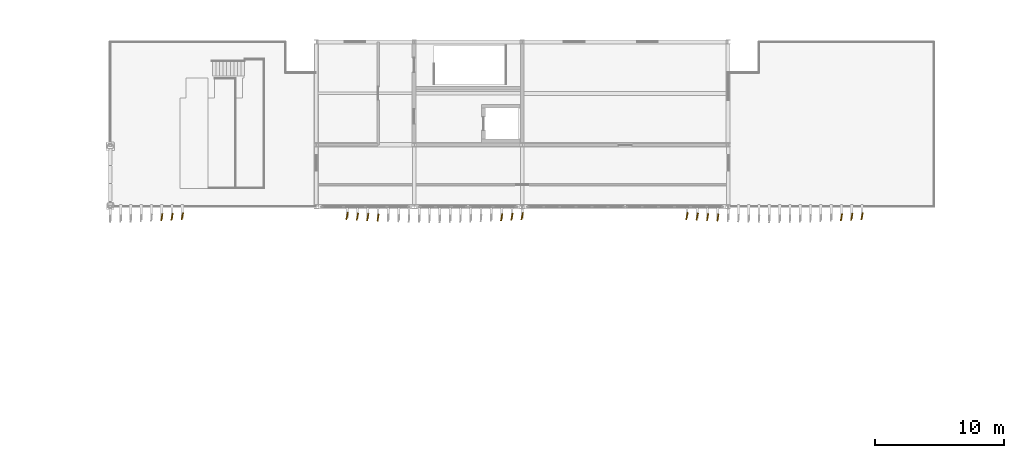
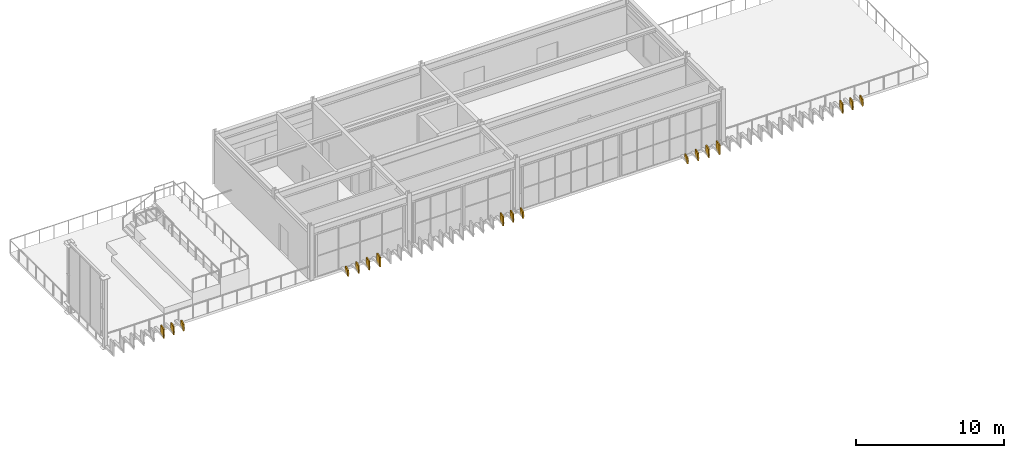
# One storey, part 45 of 45: 17 coverings.
"""IFC4 building model written with IfcOpenShell, lengths in metres."""

from ifc_helpers import new_model, si_unit, direction, frame, origin, origin_2d, place, context, subcontext, project, spatial, rectangle, extrude, material, layer, layer_set, type_object, element, save


model = new_model("IFC4")

# Units and contexts
model_context = context("Model", 3, precision=1e-05, world=origin(), true_north=direction((0.0, 1.0)))
body_context = subcontext(model_context, "Body", "Model", "MODEL_VIEW")
ifc_project = project(units=[si_unit("LENGTHUNIT", "METRE"), si_unit("AREAUNIT", "SQUARE_METRE"), si_unit("VOLUMEUNIT", "CUBIC_METRE"), si_unit("PLANEANGLEUNIT", "RADIAN"), si_unit("MASSUNIT", "GRAM", prefix="KILO")], contexts=[model_context])

# Site, building, storey
site_placement = place(None, origin())
site = spatial("IfcSite", under=ifc_project, at=site_placement, CompositionType="ELEMENT")
building_placement = place(site_placement, origin())
building = spatial("IfcBuilding", under=site, at=building_placement, Name="Cinchona Park Media Centre", CompositionType="ELEMENT")
storey_placement = place(building_placement, frame((0.0, 0.0, 20.39990234375)))
storey = spatial("IfcBuildingStorey", under=building, at=storey_placement, Name="L04", CompositionType="ELEMENT", Elevation=20.39990234375)

# Coverings
ifc_material = material(Name="Anodised Storm-Resistant Aluminium Fin", Category="aluminium")
ifc_layer = layer(ifc_material, 0.090087890625)
ifc_layer_set = layer_set([ifc_layer], Name="Anodised Storm-Resistant Aluminium Fin")
covering_type = type_object("IfcCoveringType", Name="CLADDING-FIN01", PredefinedType="CLADDING", material=ifc_layer_set)
covering_1_placement = place(storey_placement, frame((66.800048828125, 73.971923828125, 0.000244140625), z_axis=(0.0, 0.0, 1.0), x_axis=(0.180519145251, 0.983571470813, 0.0)))
element("IfcCovering", 1, at=covering_1_placement, inside=storey, type_object=covering_type, Name="Twisting Vertical Facade Fin L04", PredefinedType="CLADDING", context=body_context, shape_type="SweptSolid", body=[
    extrude(rectangle(XDim=0.56005859375, YDim=0.090087890625, at=origin_2d()), origin(), (0.0, 0.0, 1.0), 0.75390625),
])
covering_2_placement = place(storey_placement, frame((67.60009765625, 74.010009765625, 0.0), z_axis=(0.0, 0.0, 1.0), x_axis=(0.202445469766, 0.979293537082, 0.0)))
element("IfcCovering", 2, at=covering_2_placement, inside=storey, type_object=covering_type, Name="Twisting Vertical Facade Fin L04", PredefinedType="CLADDING", context=body_context, shape_type="SweptSolid", body=[
    extrude(rectangle(XDim=0.56005859375, YDim=0.090087890625, at=origin_2d()), origin(), (0.0, 0.0, 1.0), 0.654052734375),
])
covering_3_placement = place(storey_placement, frame((68.39990234375, 74.050048828125, 0.0), z_axis=(0.0, 0.0, 1.0), x_axis=(0.224951054344, 0.974370064785, 0.0)))
element("IfcCovering", 3, at=covering_3_placement, inside=storey, type_object=covering_type, Name="Twisting Vertical Facade Fin L04", PredefinedType="CLADDING", context=body_context, shape_type="SweptSolid", body=[
    extrude(rectangle(XDim=0.56005859375, YDim=0.090087890625, at=origin_2d()), origin(), (0.0, 0.0, 1.0), 0.550048828125),
])
covering_4_placement = place(storey_placement, frame((81.199951171875, 74.070068359375, 0.0), z_axis=(0.0, 0.0, 1.0), x_axis=(0.236329411694, 0.971672994977, 0.0)))
element("IfcCovering", 4, at=covering_4_placement, inside=storey, type_object=covering_type, Name="Twisting Vertical Facade Fin L04", PredefinedType="CLADDING", context=body_context, shape_type="SweptSolid", body=[
    extrude(rectangle(XDim=0.56005859375, YDim=0.090087890625, at=origin_2d()), origin(), (0.0, 0.0, 1.0), 0.498046875),
])
covering_5_placement = place(storey_placement, frame((82.0, 74.030029296875, 0.0), z_axis=(0.0, 0.0, 1.0), x_axis=(0.213541936916, 0.97693389806, 0.0)))
element("IfcCovering", 5, at=covering_5_placement, inside=storey, type_object=covering_type, Name="Twisting Vertical Facade Fin L04", PredefinedType="CLADDING", context=body_context, shape_type="SweptSolid", body=[
    extrude(rectangle(XDim=0.56005859375, YDim=0.090087890625, at=origin_2d()), origin(), (0.0, 0.0, 1.0), 0.60205078125),
])
covering_6_placement = place(storey_placement, frame((82.800048828125, 73.990966796875, -0.00048828125), z_axis=(0.0, 0.0, 1.0), x_axis=(0.191322947989, 0.981527141537, 0.0)))
element("IfcCovering", 6, at=covering_6_placement, inside=storey, type_object=covering_type, Name="Twisting Vertical Facade Fin L04", PredefinedType="CLADDING", context=body_context, shape_type="SweptSolid", body=[
    extrude(rectangle(XDim=0.56005859375, YDim=0.090087890625, at=origin_2d()), origin(), (0.0, 0.0, 1.0), 0.705078125),
])
covering_7_placement = place(storey_placement, frame((83.60009765625, 73.9541015625, 0.0), z_axis=(0.0, 0.0, 1.0), x_axis=(0.170037510451, 0.985437590637, 0.0)))
element("IfcCovering", 7, at=covering_7_placement, inside=storey, type_object=covering_type, Name="Twisting Vertical Facade Fin L04", PredefinedType="CLADDING", context=body_context, shape_type="SweptSolid", body=[
    extrude(rectangle(XDim=0.56005859375, YDim=0.090087890625, at=origin_2d()), origin(), (0.0, 0.0, 1.0), 0.802001953125),
])
covering_8_placement = place(storey_placement, frame((93.199951171875, 73.971923828125, 0.000244140625), z_axis=(0.0, 0.0, 1.0), x_axis=(0.180519145251, 0.983571470813, 0.0)))
element("IfcCovering", 8, at=covering_8_placement, inside=storey, type_object=covering_type, Name="Twisting Vertical Facade Fin L04", PredefinedType="CLADDING", context=body_context, shape_type="SweptSolid", body=[
    extrude(rectangle(XDim=0.56005859375, YDim=0.090087890625, at=origin_2d()), origin(), (0.0, 0.0, 1.0), 0.75390625),
])
covering_9_placement = place(storey_placement, frame((94.0, 74.010009765625, 0.0), z_axis=(0.0, 0.0, 1.0), x_axis=(0.202445469766, 0.979293537082, 0.0)))
element("IfcCovering", 9, at=covering_9_placement, inside=storey, type_object=covering_type, Name="Twisting Vertical Facade Fin L04", PredefinedType="CLADDING", context=body_context, shape_type="SweptSolid", body=[
    extrude(rectangle(XDim=0.56005859375, YDim=0.090087890625, at=origin_2d()), origin(), (0.0, 0.0, 1.0), 0.654052734375),
])
covering_10_placement = place(storey_placement, frame((94.800048828125, 74.050048828125, 0.0), z_axis=(0.0, 0.0, 1.0), x_axis=(0.224951054344, 0.974370064785, 0.0)))
element("IfcCovering", 10, at=covering_10_placement, inside=storey, type_object=covering_type, Name="Twisting Vertical Facade Fin L04", PredefinedType="CLADDING", context=body_context, shape_type="SweptSolid", body=[
    extrude(rectangle(XDim=0.56005859375, YDim=0.090087890625, at=origin_2d()), origin(), (0.0, 0.0, 1.0), 0.550048828125),
])
covering_11_placement = place(storey_placement, frame((107.60009765625, 74.070068359375, 0.0), z_axis=(0.0, 0.0, 1.0), x_axis=(0.236329411694, 0.971672994977, 0.0)))
element("IfcCovering", 11, at=covering_11_placement, inside=storey, type_object=covering_type, Name="Twisting Vertical Facade Fin L04", PredefinedType="CLADDING", context=body_context, shape_type="SweptSolid", body=[
    extrude(rectangle(XDim=0.56005859375, YDim=0.090087890625, at=origin_2d()), origin(), (0.0, 0.0, 1.0), 0.498046875),
])
covering_12_placement = place(storey_placement, frame((108.39990234375, 74.030029296875, 0.0), z_axis=(0.0, 0.0, 1.0), x_axis=(0.213541936916, 0.97693389806, 0.0)))
element("IfcCovering", 12, at=covering_12_placement, inside=storey, type_object=covering_type, Name="Twisting Vertical Facade Fin L04", PredefinedType="CLADDING", context=body_context, shape_type="SweptSolid", body=[
    extrude(rectangle(XDim=0.56005859375, YDim=0.090087890625, at=origin_2d()), origin(), (0.0, 0.0, 1.0), 0.60205078125),
])
covering_13_placement = place(storey_placement, frame((109.199951171875, 73.990966796875, -0.00048828125), z_axis=(0.0, 0.0, 1.0), x_axis=(0.191322947989, 0.981527141537, 0.0)))
element("IfcCovering", 13, at=covering_13_placement, inside=storey, type_object=covering_type, Name="Twisting Vertical Facade Fin L04", PredefinedType="CLADDING", context=body_context, shape_type="SweptSolid", body=[
    extrude(rectangle(XDim=0.56005859375, YDim=0.090087890625, at=origin_2d()), origin(), (0.0, 0.0, 1.0), 0.705078125),
])
covering_14_placement = place(storey_placement, frame((110.0, 73.9541015625, 0.0), z_axis=(0.0, 0.0, 1.0), x_axis=(0.170037510451, 0.985437590637, 0.0)))
element("IfcCovering", 14, at=covering_14_placement, inside=storey, type_object=covering_type, Name="Twisting Vertical Facade Fin L04", PredefinedType="CLADDING", context=body_context, shape_type="SweptSolid", body=[
    extrude(rectangle(XDim=0.56005859375, YDim=0.090087890625, at=origin_2d()), origin(), (0.0, 0.0, 1.0), 0.802001953125),
])
covering_15_placement = place(storey_placement, frame((119.60009765625, 73.971923828125, 0.000244140625), z_axis=(0.0, 0.0, 1.0), x_axis=(0.180519145251, 0.983571470813, 0.0)))
element("IfcCovering", 15, at=covering_15_placement, inside=storey, type_object=covering_type, Name="Twisting Vertical Facade Fin L04", PredefinedType="CLADDING", context=body_context, shape_type="SweptSolid", body=[
    extrude(rectangle(XDim=0.56005859375, YDim=0.090087890625, at=origin_2d()), origin(), (0.0, 0.0, 1.0), 0.75390625),
])
covering_16_placement = place(storey_placement, frame((120.39990234375, 74.010009765625, 0.0), z_axis=(0.0, 0.0, 1.0), x_axis=(0.202445469766, 0.979293537082, 0.0)))
element("IfcCovering", 16, at=covering_16_placement, inside=storey, type_object=covering_type, Name="Twisting Vertical Facade Fin L04", PredefinedType="CLADDING", context=body_context, shape_type="SweptSolid", body=[
    extrude(rectangle(XDim=0.56005859375, YDim=0.090087890625, at=origin_2d()), origin(), (0.0, 0.0, 1.0), 0.654052734375),
])
covering_17_placement = place(storey_placement, frame((121.199951171875, 74.050048828125, 0.0), z_axis=(0.0, 0.0, 1.0), x_axis=(0.224951054344, 0.974370064785, 0.0)))
element("IfcCovering", 17, at=covering_17_placement, inside=storey, type_object=covering_type, Name="Twisting Vertical Facade Fin L04", PredefinedType="CLADDING", context=body_context, shape_type="SweptSolid", body=[
    extrude(rectangle(XDim=0.56005859375, YDim=0.090087890625, at=origin_2d()), origin(), (0.0, 0.0, 1.0), 0.550048828125),
])

save(model, "model.ifc")
